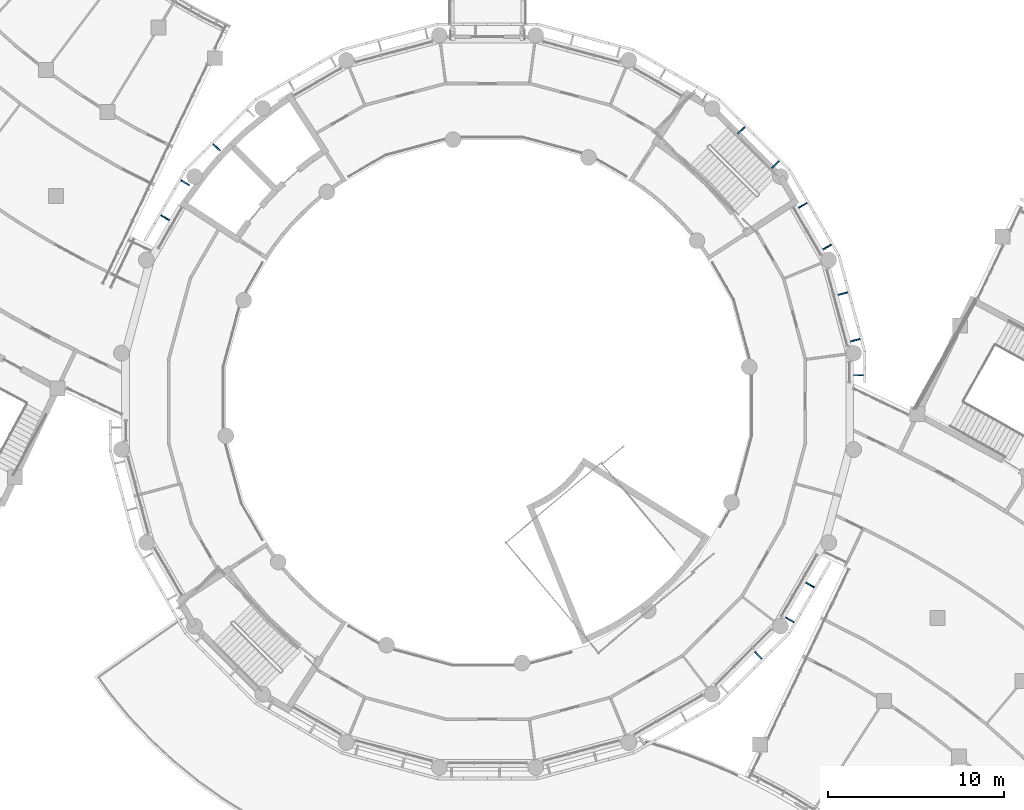
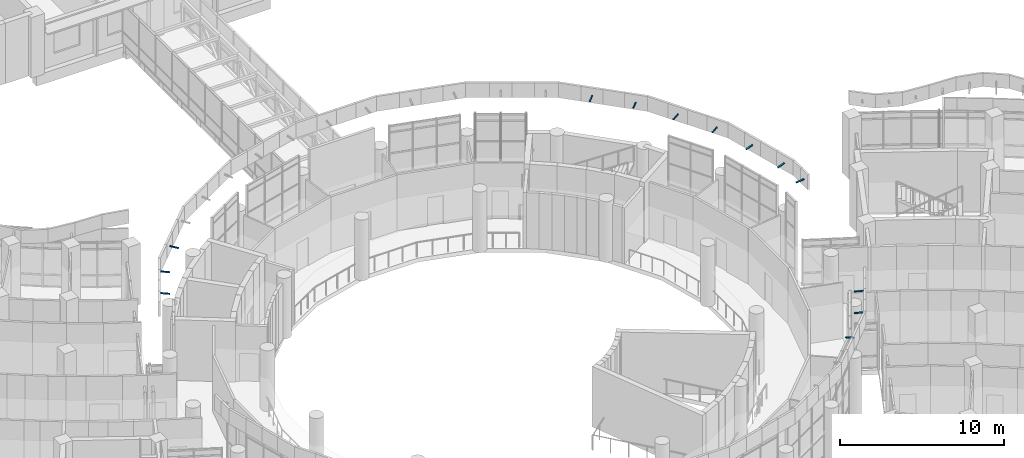
# One storey, part 102 of 136: 13 discrete accessories.
"""IFC4 building model written with IfcOpenShell, lengths in metres."""

from ifc_helpers import new_model, si_unit, direction, frame, origin, origin_2d, place, context, subcontext, project, spatial, rectangle, extrude, material, material_profile, profile_set, type_object, element, save


model = new_model("IFC4")

# Units and contexts
model_context = context("Model", 3, precision=1e-05, world=origin(), true_north=direction((0.0, 1.0)))
body_context = subcontext(model_context, "Body", "Model", "MODEL_VIEW")
ifc_project = project(units=[si_unit("LENGTHUNIT", "METRE"), si_unit("AREAUNIT", "SQUARE_METRE"), si_unit("VOLUMEUNIT", "CUBIC_METRE"), si_unit("PLANEANGLEUNIT", "RADIAN"), si_unit("MASSUNIT", "GRAM", prefix="KILO")], contexts=[model_context])

# Site, building, storey
site_placement = place(None, origin())
site = spatial("IfcSite", under=ifc_project, at=site_placement, CompositionType="ELEMENT")
building_placement = place(site_placement, origin())
building = spatial("IfcBuilding", under=site, at=building_placement, Name="Bougainvillea Quay General Hospital", CompositionType="ELEMENT")
storey_placement = place(building_placement, frame((0.0, 0.0, 5.39990234375)))
storey = spatial("IfcBuildingStorey", under=building, at=storey_placement, Name="L01", CompositionType="ELEMENT", Elevation=5.39990234375)

# Discrete accessories
ifc_material = material(Name="Stainless steel bracket, grade 316", Category="steel")
ifc_material_profile = material_profile(ifc_material, rectangle(XDim=0.080078125, YDim=0.050048828125, at=origin_2d()))
ifc_profile_set = profile_set([ifc_material_profile], Name="Stainless steel bracket, grade 316")
discrete_accessory_type = type_object("IfcDiscreteAccessoryType", Name="Stainless steel stand-off bracket 80x50", PredefinedType="BRACKET", material=ifc_profile_set)
for number, where, z_axis, x_axis, name in (
    (1, (124.406494140625, 59.762451171875, 7.14013671875), (0.702928468265, -0.702928468265, 0.108550158941), (0.707106781187, 0.707106781187, 0.0), "Fascia bracket e0 37"),
    (2, (126.146728515625, 61.71240234375, 7.14013671875), (0.860985424, -0.496909065825, 0.108560950438), (0.499863360881, 0.866104278045, 0.0), "Fascia bracket e0 39"),
    (3, (127.293212890625, 63.698486328125, 7.14013671875), (0.860985424, -0.496909065825, 0.108560950438), (0.499863360881, 0.866104278045, 0.0), "Fascia bracket e0 41"),
    (4, (130.02001953125, 75.480224609375, 7.14013671875), (0.994091793559, 0.0, 0.108542645901), (0.0, 1.0, 0.0), "Fascia bracket e1 1"),
    (5, (129.842529296875, 77.40283203125, 7.14013671875), (0.96022399879, 0.257265896735, 0.108554735157), (-0.258795254151, 0.965932200741, 0.0), "Fascia bracket e1 3"),
    (6, (129.133056640625, 80.05029296875, 7.14013671875), (0.96022399879, 0.257265896735, 0.108554735157), (-0.258795254151, 0.965932200741, 0.0), "Fascia bracket e1 5"),
):
    element("IfcDiscreteAccessory", number, at=place(storey_placement, frame(where, z_axis=z_axis, x_axis=x_axis)), inside=storey, type_object=discrete_accessory_type, Name=name, PredefinedType="BRACKET", context=body_context, shape_type="SweptSolid", body=[
        extrude(rectangle(XDim=0.080078125, YDim=0.050048828125, at=origin_2d()), origin(), (0.0, 0.0, 1.0), 0.55322265625),
    ])
for number, where, z_axis, x_axis, name in (
    (7, (128.25830078125, 82.62939453125, 7.14013671875), (0.860796598273, 0.497241294851, 0.108537141556), (-0.500196256984, 0.865912065108, 0.0), "Fascia bracket e1 7"),
    (8, (126.887939453125, 85.00341796875, 7.14013671875), (0.860796598273, 0.497241294851, 0.108537141556), (-0.500196256984, 0.865912065108, 0.0), "Fascia bracket e1 9"),
):
    element("IfcDiscreteAccessory", number, at=place(storey_placement, frame(where, z_axis=z_axis, x_axis=x_axis)), inside=storey, type_object=discrete_accessory_type, Name=name, PredefinedType="BRACKET", context=body_context, shape_type="SweptSolid", body=[
        extrude(rectangle(XDim=0.080078125, YDim=0.050048828125, at=origin_2d()), origin(), (0.0, 0.0, 1.0), 0.553466796875),
    ])
for number, where, z_axis, x_axis, name in (
    (9, (125.37548828125, 87.2685546875, 7.14013671875), (0.702928468265, 0.702928468265, 0.108550158941), (-0.707106781187, 0.707106781187, 0.0), "Fascia bracket e1 11"),
    (10, (123.4375, 89.20654296875, 7.14013671875), (0.702928468265, 0.702928468265, 0.108550158941), (-0.707106781187, 0.707106781187, 0.0), "Fascia bracket e1 13"),
    (11, (93.993408203125, 88.237548828125, 7.14013671875), (-0.702928468265, 0.702928468265, 0.108550158941), (-0.707106781187, -0.707106781187, 0.0), "Fascia bracket e1 37"),
    (12, (92.25341796875, 86.28759765625, 7.14013671875), (-0.860985424, 0.496909065825, 0.108560950438), (-0.499863360881, -0.866104278045, 0.0), "Fascia bracket e1 39"),
    (13, (91.10693359375, 84.301513671875, 7.14013671875), (-0.860985424, 0.496909065825, 0.108560950438), (-0.499863360881, -0.866104278045, 0.0), "Fascia bracket e1 41"),
):
    element("IfcDiscreteAccessory", number, at=place(storey_placement, frame(where, z_axis=z_axis, x_axis=x_axis)), inside=storey, type_object=discrete_accessory_type, Name=name, PredefinedType="BRACKET", context=body_context, shape_type="SweptSolid", body=[
        extrude(rectangle(XDim=0.080078125, YDim=0.050048828125, at=origin_2d()), origin(), (0.0, 0.0, 1.0), 0.55322265625),
    ])

save(model, "model.ifc")
